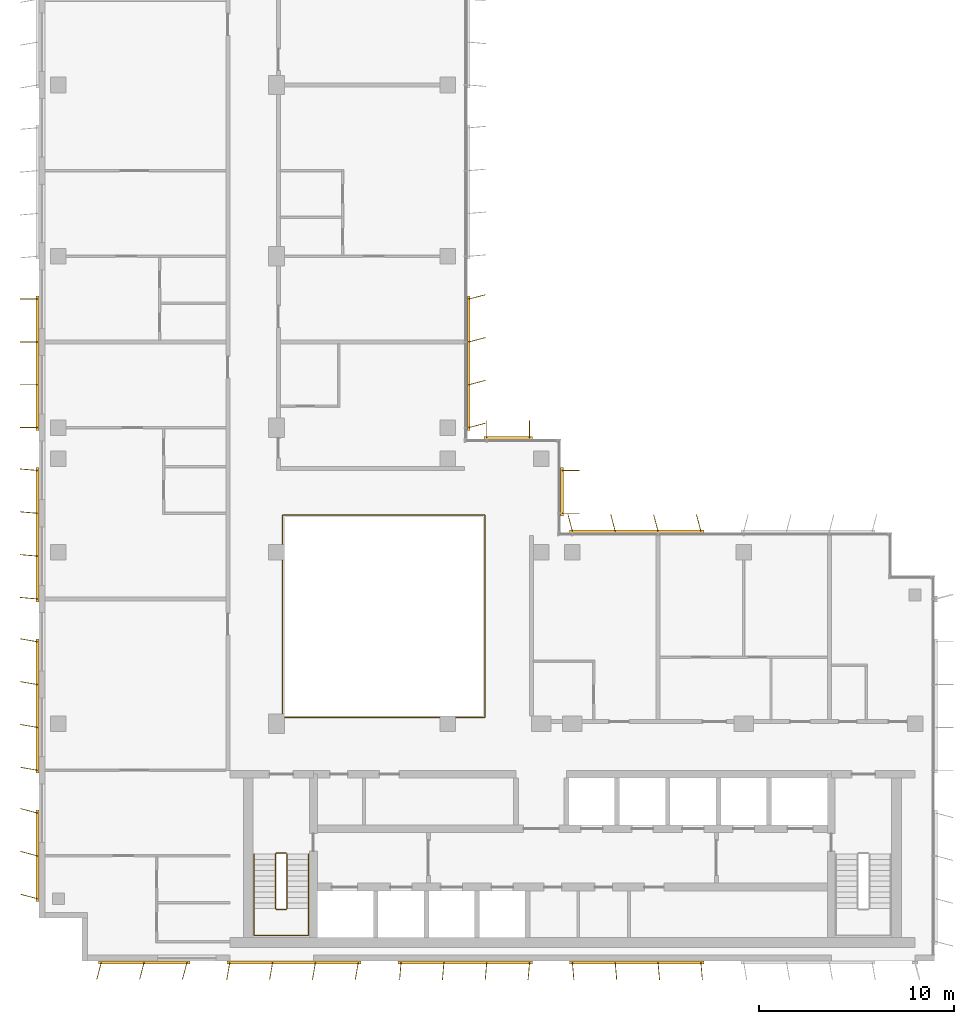
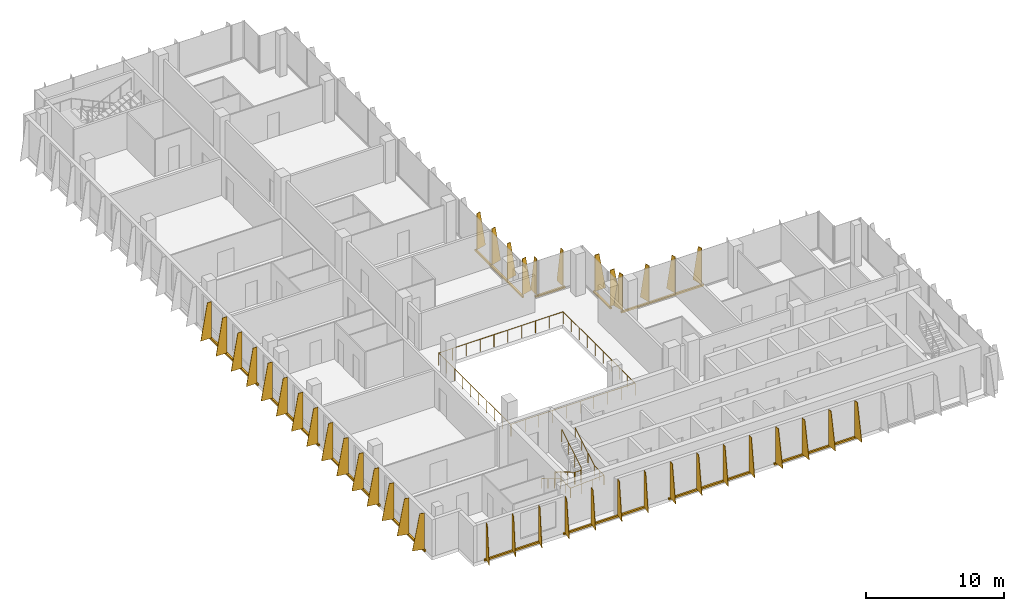
# One storey, part 13 of 15: 12 shading devices, 3 railings.
"""IFC4 building model written with IfcOpenShell, lengths in metres."""

from ifc_helpers import new_model, si_unit, direction, frame, origin, origin_2d, place, context, subcontext, project, spatial, polyline, rectangle, circle, outline, extrude, source, transform, mapped, material, layer, layer_set, type_object, element, save


model = new_model("IFC4")

# Units and contexts
model_context = context("Model", 3, precision=1e-05, world=origin(), true_north=direction((0.0, 1.0)))
body_context = subcontext(model_context, "Body", "Model", "MODEL_VIEW")
ifc_project = project(units=[si_unit("LENGTHUNIT", "METRE"), si_unit("AREAUNIT", "SQUARE_METRE"), si_unit("VOLUMEUNIT", "CUBIC_METRE"), si_unit("PLANEANGLEUNIT", "RADIAN"), si_unit("MASSUNIT", "GRAM", prefix="KILO")], contexts=[model_context])

# Site, building, storey
site_placement = place(None, origin())
site = spatial("IfcSite", under=ifc_project, at=site_placement, CompositionType="ELEMENT")
building_placement = place(site_placement, origin())
building = spatial("IfcBuilding", under=site, at=building_placement, Name="Kemantara Hotel Tower", CompositionType="ELEMENT")
storey_placement = place(building_placement, frame((0.0, 0.0, 305.5)))
storey = spatial("IfcBuildingStorey", under=building, at=storey_placement, Name="L77", CompositionType="ELEMENT", Elevation=305.5)

# Railings
ifc_material_1 = material(Name="Stainless steel and laminated glass balustrade", Category="steel")
railing_type_1 = type_object("IfcRailingType", Name="ATRIUM GUARD 1100", PredefinedType="GUARDRAIL", material=ifc_material_1)
railing_1_placement = place(storey_placement, frame((12.56005859375, 12.5, 0.0)))
element("IfcRailing", 1, at=railing_1_placement, inside=storey, type_object=railing_type_1, Name="ATRIUM GUARD L77", PredefinedType="GUARDRAIL", context=body_context, shape_type="SweptSolid", body=[
    extrude(circle(Radius=0.02490234375, at=origin_2d()), frame((0.0, 0.0, 1.0751953125), z_axis=(1.0, 0.0, 0.0), x_axis=(0.0, 1.0, 0.0)), (0.0, 0.0, 1.0), 10.33984375),
    extrude(circle(Radius=0.02490234375, at=origin_2d()), frame((10.33984375, 0.0, 1.0751953125), z_axis=(0.0, 1.0, 0.0), x_axis=(-1.0, 0.0, 0.0)), (0.0, 0.0, 1.0), 10.39990234375),
    extrude(circle(Radius=0.02490234375, at=origin_2d()), frame((10.33984375, 10.39990234375, 1.0751953125), z_axis=(-1.0, 0.0, 0.0), x_axis=(0.0, -1.0, 0.0)), (0.0, 0.0, 1.0), 10.39990234375),
    extrude(circle(Radius=0.02490234375, at=origin_2d()), frame((-0.06005859375, 10.39990234375, 1.0751953125), z_axis=(0.0, -1.0, 0.0), x_axis=(1.0, 0.0, 0.0)), (0.0, 0.0, 1.0), 10.39990234375),
    extrude(circle(Radius=0.02001953125, at=origin_2d()), origin(), (0.0, 0.0, 1.0), 1.050048828125),
    extrude(circle(Radius=0.02001953125, at=origin_2d()), frame((1.14892578125, 0.0, 0.0)), (0.0, 0.0, 1.0), 1.050048828125),
    extrude(circle(Radius=0.02001953125, at=origin_2d()), frame((2.2978515625, 0.0, 0.0)), (0.0, 0.0, 1.0), 1.050048828125),
    extrude(circle(Radius=0.02001953125, at=origin_2d()), frame((3.446533203125, 0.0, 0.0)), (0.0, 0.0, 1.0), 1.050048828125),
    extrude(circle(Radius=0.02001953125, at=origin_2d()), frame((4.595458984375, 0.0, 0.0)), (0.0, 0.0, 1.0), 1.050048828125),
    extrude(circle(Radius=0.02001953125, at=origin_2d()), frame((5.744384765625, 0.0, 0.0)), (0.0, 0.0, 1.0), 1.050048828125),
    extrude(circle(Radius=0.02001953125, at=origin_2d()), frame((6.893310546875, 0.0, 0.0)), (0.0, 0.0, 1.0), 1.050048828125),
    extrude(circle(Radius=0.02001953125, at=origin_2d()), frame((8.0419921875, 0.0, 0.0)), (0.0, 0.0, 1.0), 1.050048828125),
    extrude(circle(Radius=0.02001953125, at=origin_2d()), frame((9.19091796875, 0.0, 0.0)), (0.0, 0.0, 1.0), 1.050048828125),
    extrude(circle(Radius=0.02001953125, at=origin_2d()), frame((10.33984375, 0.0, 0.0)), (0.0, 0.0, 1.0), 1.050048828125),
    extrude(circle(Radius=0.02001953125, at=origin_2d()), frame((10.33984375, 1.155517578125, 0.0)), (0.0, 0.0, 1.0), 1.050048828125),
    extrude(circle(Radius=0.02001953125, at=origin_2d()), frame((10.33984375, 2.31103515625, 0.0)), (0.0, 0.0, 1.0), 1.050048828125),
    extrude(circle(Radius=0.02001953125, at=origin_2d()), frame((10.33984375, 3.466552734375, 0.0)), (0.0, 0.0, 1.0), 1.050048828125),
    extrude(circle(Radius=0.02001953125, at=origin_2d()), frame((10.33984375, 4.6220703125, 0.0)), (0.0, 0.0, 1.0), 1.050048828125),
    extrude(circle(Radius=0.02001953125, at=origin_2d()), frame((10.33984375, 5.77783203125, 0.0)), (0.0, 0.0, 1.0), 1.050048828125),
    extrude(circle(Radius=0.02001953125, at=origin_2d()), frame((10.33984375, 6.933349609375, 0.0)), (0.0, 0.0, 1.0), 1.050048828125),
    extrude(circle(Radius=0.02001953125, at=origin_2d()), frame((10.33984375, 8.0888671875, 0.0)), (0.0, 0.0, 1.0), 1.050048828125),
    extrude(circle(Radius=0.02001953125, at=origin_2d()), frame((10.33984375, 9.244384765625, 0.0)), (0.0, 0.0, 1.0), 1.050048828125),
    extrude(circle(Radius=0.02001953125, at=origin_2d()), frame((10.33984375, 10.39990234375, 0.0)), (0.0, 0.0, 1.0), 1.050048828125),
    extrude(circle(Radius=0.02001953125, at=origin_2d()), frame((9.184326171875, 10.39990234375, 0.0)), (0.0, 0.0, 1.0), 1.050048828125),
    extrude(circle(Radius=0.02001953125, at=origin_2d()), frame((8.02880859375, 10.39990234375, 0.0)), (0.0, 0.0, 1.0), 1.050048828125),
    extrude(circle(Radius=0.02001953125, at=origin_2d()), frame((6.873291015625, 10.39990234375, 0.0)), (0.0, 0.0, 1.0), 1.050048828125),
    extrude(circle(Radius=0.02001953125, at=origin_2d()), frame((5.7177734375, 10.39990234375, 0.0)), (0.0, 0.0, 1.0), 1.050048828125),
    extrude(circle(Radius=0.02001953125, at=origin_2d()), frame((4.56201171875, 10.39990234375, 0.0)), (0.0, 0.0, 1.0), 1.050048828125),
    extrude(circle(Radius=0.02001953125, at=origin_2d()), frame((3.406494140625, 10.39990234375, 0.0)), (0.0, 0.0, 1.0), 1.050048828125),
    extrude(circle(Radius=0.02001953125, at=origin_2d()), frame((2.2509765625, 10.39990234375, 0.0)), (0.0, 0.0, 1.0), 1.050048828125),
    extrude(circle(Radius=0.02001953125, at=origin_2d()), frame((1.095458984375, 10.39990234375, 0.0)), (0.0, 0.0, 1.0), 1.050048828125),
    extrude(circle(Radius=0.02001953125, at=origin_2d()), frame((-0.06005859375, 10.39990234375, 0.0)), (0.0, 0.0, 1.0), 1.050048828125),
    extrude(circle(Radius=0.02001953125, at=origin_2d()), frame((-0.06005859375, 9.244384765625, 0.0)), (0.0, 0.0, 1.0), 1.050048828125),
    extrude(circle(Radius=0.02001953125, at=origin_2d()), frame((-0.06005859375, 8.0888671875, 0.0)), (0.0, 0.0, 1.0), 1.050048828125),
    extrude(circle(Radius=0.02001953125, at=origin_2d()), frame((-0.06005859375, 6.933349609375, 0.0)), (0.0, 0.0, 1.0), 1.050048828125),
    extrude(circle(Radius=0.02001953125, at=origin_2d()), frame((-0.06005859375, 5.77783203125, 0.0)), (0.0, 0.0, 1.0), 1.050048828125),
    extrude(circle(Radius=0.02001953125, at=origin_2d()), frame((-0.06005859375, 4.6220703125, 0.0)), (0.0, 0.0, 1.0), 1.050048828125),
    extrude(circle(Radius=0.02001953125, at=origin_2d()), frame((-0.06005859375, 3.466552734375, 0.0)), (0.0, 0.0, 1.0), 1.050048828125),
    extrude(circle(Radius=0.02001953125, at=origin_2d()), frame((-0.06005859375, 2.31103515625, 0.0)), (0.0, 0.0, 1.0), 1.050048828125),
    extrude(circle(Radius=0.02001953125, at=origin_2d()), frame((-0.06005859375, 1.155517578125, 0.0)), (0.0, 0.0, 1.0), 1.050048828125),
    extrude(circle(Radius=0.02001953125, at=origin_2d()), frame((-0.06005859375, 0.0, 0.0)), (0.0, 0.0, 1.0), 1.050048828125),
])
ifc_material_2 = material(Name="Stainless steel balustrade", Category="steel")
railing_type_2 = type_object("IfcRailingType", Name="Stair guard 1100 mm", PredefinedType="GUARDRAIL", material=ifc_material_2)
railing_2_placement = place(storey_placement, frame((12.75, 5.5, 3.699951171875)))
element("IfcRailing", 2, at=railing_2_placement, inside=storey, type_object=railing_type_2, Name="L77 ST1 stair guard 1", PredefinedType="GUARDRAIL", context=body_context, shape_type="SweptSolid", body=[
    extrude(circle(Radius=0.02392578125, at=origin_2d()), frame((0.0, 0.0, 1.076171875), z_axis=(0.0, -0.857242210791, -0.514913383045), x_axis=(1.0, 0.0, 0.0)), (0.0, 0.0, 1.0), 3.266357421875),
    extrude(circle(Radius=0.02392578125, at=origin_2d()), frame((0.0, -2.800048828125, -0.60595703125), z_axis=(-0.274582412415, -0.274582412415, -0.921525364591), x_axis=(0.707106781187, -0.707106781187, 0.0)), (0.0, 0.0, 1.0), 0.182373046875),
    extrude(circle(Radius=0.02392578125, at=origin_2d()), frame((-0.050048828125, -2.85009765625, -0.77392578125), z_axis=(-1.0, 0.0, 0.0), x_axis=(0.0, -1.0, 0.0)), (0.0, 0.0, 1.0), 0.5),
    extrude(circle(Radius=0.02392578125, at=origin_2d()), frame((-0.550048828125, -2.85009765625, -0.77392578125), z_axis=(-0.707106781187, 0.707106781187, 0.0), x_axis=(-0.707106781187, -0.707106781187, 0.0)), (0.0, 0.0, 1.0), 0.07080078125),
    extrude(circle(Radius=0.02392578125, at=origin_2d()), frame((-0.60009765625, -2.800048828125, -0.77392578125), z_axis=(0.0, 0.857242210791, -0.514913383045), x_axis=(-1.0, 0.0, 0.0)), (0.0, 0.0, 1.0), 3.266357421875),
    extrude(circle(Radius=0.02392578125, at=origin_2d()), frame((-0.60009765625, 0.0, -2.45556640625), z_axis=(0.274243871929, 0.274243871929, -0.92172696468), x_axis=(-0.707106781187, 0.707106781187, 0.0)), (0.0, 0.0, 1.0), 0.1826171875),
    extrude(circle(Radius=0.02392578125, at=origin_2d()), frame((-0.550048828125, 0.050048828125, -2.6240234375), z_axis=(1.0, 0.0, 0.0), x_axis=(0.0, 1.0, 0.0)), (0.0, 0.0, 1.0), 0.5),
    extrude(circle(Radius=0.02099609375, at=origin_2d()), origin(), (0.0, 0.0, 1.0), 1.052001953125),
    extrude(circle(Radius=0.02099609375, at=origin_2d()), frame((0.0, -0.933349609375, -0.560546875)), (0.0, 0.0, 1.0), 1.052001953125),
    extrude(circle(Radius=0.02099609375, at=origin_2d()), frame((0.0, -1.86669921875, -1.121337890625)), (0.0, 0.0, 1.0), 1.052001953125),
    extrude(circle(Radius=0.02099609375, at=origin_2d()), frame((0.0, -2.800048828125, -1.681884765625)), (0.0, 0.0, 1.0), 1.052001953125),
    extrude(circle(Radius=0.02099609375, at=origin_2d()), frame((-0.050048828125, -2.85009765625, -1.849853515625)), (0.0, 0.0, 1.0), 1.052001953125),
    extrude(circle(Radius=0.02099609375, at=origin_2d()), frame((-0.550048828125, -2.85009765625, -1.849853515625)), (0.0, 0.0, 1.0), 1.052001953125),
    extrude(circle(Radius=0.02099609375, at=origin_2d()), frame((-0.60009765625, -2.800048828125, -1.849853515625)), (0.0, 0.0, 1.0), 1.052001953125),
    extrude(circle(Radius=0.02099609375, at=origin_2d()), frame((-0.60009765625, -1.86669921875, -2.410400390625)), (0.0, 0.0, 1.0), 1.052001953125),
    extrude(circle(Radius=0.02099609375, at=origin_2d()), frame((-0.60009765625, -0.933349609375, -2.97119140625)), (0.0, 0.0, 1.0), 1.052001953125),
    extrude(circle(Radius=0.02099609375, at=origin_2d()), frame((-0.60009765625, 0.0, -3.53173828125)), (0.0, 0.0, 1.0), 1.052001953125),
    extrude(circle(Radius=0.02099609375, at=origin_2d()), frame((-0.550048828125, 0.050048828125, -3.699951171875)), (0.0, 0.0, 1.0), 1.052001953125),
    extrude(circle(Radius=0.02099609375, at=origin_2d()), frame((-0.050048828125, 0.050048828125, -3.699951171875)), (0.0, 0.0, 1.0), 1.052001953125),
])
railing_type_3 = type_object("IfcRailingType", Name="Stair handrail 900 mm", PredefinedType="HANDRAIL", material=ifc_material_2)
railing_3_placement = place(storey_placement, frame((11.050048828125, 5.5, 0.168212890625)))
element("IfcRailing", 3, at=railing_3_placement, inside=storey, type_object=railing_type_3, Name="L77 ST1 stair handrail 1", PredefinedType="HANDRAIL", context=body_context, shape_type="SweptSolid", body=[
    extrude(circle(Radius=0.02392578125, at=origin_2d()), frame((0.0, 0.0, 0.8759765625), z_axis=(0.0, -0.857242210791, 0.514913383045), x_axis=(1.0, 0.0, 0.0)), (0.0, 0.0, 1.0), 3.266357421875),
    extrude(circle(Radius=0.02392578125, at=origin_2d()), frame((0.0, -2.800048828125, 2.5576171875), z_axis=(0.0, -1.0, 0.0), x_axis=(1.0, 0.0, 0.0)), (0.0, 0.0, 1.0), 1.3798828125),
    extrude(circle(Radius=0.02392578125, at=origin_2d()), frame((0.0, -4.179931640625, 2.5576171875), z_axis=(0.998205573864, 0.0, 0.059880149518), x_axis=(0.0, 1.0, 0.0)), (0.0, 0.0, 1.0), 2.80517578125),
    extrude(circle(Radius=0.02392578125, at=origin_2d()), frame((2.800048828125, -4.179931640625, 2.7255859375), z_axis=(0.0, 1.0, 0.0), x_axis=(-1.0, 0.0, 0.0)), (0.0, 0.0, 1.0), 1.3798828125),
    extrude(circle(Radius=0.02392578125, at=origin_2d()), frame((2.800048828125, -2.800048828125, 2.7255859375), z_axis=(0.0, 0.857242210791, 0.514913383045), x_axis=(-1.0, 0.0, 0.0)), (0.0, 0.0, 1.0), 3.266357421875),
    extrude(circle(Radius=0.02099609375, at=origin_2d()), origin(), (0.0, 0.0, 1.0), 0.851806640625),
    extrude(circle(Radius=0.02099609375, at=origin_2d()), frame((0.0, -0.933349609375, 0.560546875)), (0.0, 0.0, 1.0), 0.851806640625),
    extrude(circle(Radius=0.02099609375, at=origin_2d()), frame((0.0, -1.86669921875, 1.121337890625)), (0.0, 0.0, 1.0), 0.851806640625),
    extrude(circle(Radius=0.02099609375, at=origin_2d()), frame((0.0, -2.800048828125, 1.681884765625)), (0.0, 0.0, 1.0), 0.851806640625),
    extrude(circle(Radius=0.02099609375, at=origin_2d()), frame((0.0, -3.489990234375, 1.681884765625)), (0.0, 0.0, 1.0), 0.851806640625),
    extrude(circle(Radius=0.02099609375, at=origin_2d()), frame((0.0, -4.179931640625, 1.681884765625)), (0.0, 0.0, 1.0), 0.851806640625),
    extrude(circle(Radius=0.02099609375, at=origin_2d()), frame((0.933349609375, -4.179931640625, 1.73779296875)), (0.0, 0.0, 1.0), 0.851806640625),
    extrude(circle(Radius=0.02099609375, at=origin_2d()), frame((1.86669921875, -4.179931640625, 1.7939453125)), (0.0, 0.0, 1.0), 0.851806640625),
    extrude(circle(Radius=0.02099609375, at=origin_2d()), frame((2.800048828125, -4.179931640625, 1.849853515625)), (0.0, 0.0, 1.0), 0.851806640625),
    extrude(circle(Radius=0.02099609375, at=origin_2d()), frame((2.800048828125, -3.489990234375, 1.849853515625)), (0.0, 0.0, 1.0), 0.851806640625),
    extrude(circle(Radius=0.02099609375, at=origin_2d()), frame((2.800048828125, -2.800048828125, 1.849853515625)), (0.0, 0.0, 1.0), 0.851806640625),
    extrude(circle(Radius=0.02099609375, at=origin_2d()), frame((2.800048828125, -1.86669921875, 2.410400390625)), (0.0, 0.0, 1.0), 0.851806640625),
    extrude(circle(Radius=0.02099609375, at=origin_2d()), frame((2.800048828125, -0.933349609375, 2.97119140625)), (0.0, 0.0, 1.0), 0.851806640625),
    extrude(circle(Radius=0.02099609375, at=origin_2d()), frame((2.800048828125, 0.0, 3.53173828125)), (0.0, 0.0, 1.0), 0.851806640625),
])

# Shading devices
ifc_material_3 = material(Name="Perforated aluminium plate 4 mm bronze anodised", Category="aluminium")
ifc_layer_1 = layer(ifc_material_3, 0.0400390625)
ifc_layer_set_1 = layer_set([ifc_layer_1], Name="Perforated aluminium plate 4 mm bronze anodised")
shading_device_type_1 = type_object("IfcShadingDeviceType", Name="SCREEN FIN CASSETTE, 3 BLADES AT -15.0 DEG, 3200 HIGH", PredefinedType="USERDEFINED", material=ifc_layer_set_1)
shared_shape_1 = source(origin(), body_context, "Body", "SweptSolid", [
    extrude(rectangle(XDim=4.699951171875, YDim=0.14990234375, at=origin_2d()), frame((2.199951171875, -0.074951171875, -0.14990234375), z_axis=(0.0, 0.0, 1.0), x_axis=(1.0, 0.0, 0.0)), (0.0, 0.0, 1.0), 0.14990234375),
    extrude(outline(polyline([(0.0, 0.0), (0.89990234375, 0.0), (0.35009765625, 3.199951171875), (0.0, 3.199951171875), (0.0, 0.0)])), frame((0.019287109375, -0.080078125, 0.0), z_axis=(-0.966437683387, 0.256901156343, 0.0), x_axis=(-0.256901156343, -0.966437683387, 0.0)), (0.0, 0.0, 1.0), 0.039794921875),
    extrude(outline(polyline([(0.0, 0.0), (0.89990234375, 0.0), (0.35009765625, 3.199951171875), (0.0, 3.199951171875), (0.0, 0.0)])), frame((2.21923828125, -0.080078125, 0.0), z_axis=(-0.966437683387, 0.256901156343, 0.0), x_axis=(-0.256901156343, -0.966437683387, 0.0)), (0.0, 0.0, 1.0), 0.039794921875),
    extrude(outline(polyline([(0.0, 0.0), (0.89990234375, 0.0), (0.35009765625, 3.199951171875), (0.0, 3.199951171875), (0.0, 0.0)])), frame((4.41943359375, -0.080078125, 0.0), z_axis=(-0.966837822169, 0.255391122837, 0.0), x_axis=(-0.255391122837, -0.966837822169, 0.0)), (0.0, 0.0, 1.0), 0.0400390625),
])
for number, where, z_axis, x_axis, name in (
    (4, (0.0, 7.60009765625, 0.10009765625), (0.0, 0.0, 1.0), (0.0, -1.0, 0.0), "SCREEN FIN CASSETTE L77 T4-R05-7"),
    (5, (3.199951171875, 0.0, 0.10009765625), (0.0, 0.0, 1.0), (1.0, 0.0, 0.0), "SCREEN FIN CASSETTE L77 T4-R08-1"),
):
    element("IfcShadingDevice", number, at=place(storey_placement, frame(where, z_axis=z_axis, x_axis=x_axis)), inside=storey, type_object=shading_device_type_1, Name=name, ObjectType="SCREEN FIN", PredefinedType="USERDEFINED", context=body_context, shape_type="MappedRepresentation", body=[
        mapped(shared_shape_1, transform((0.0, 0.0, 0.0))),
    ])
ifc_layer_2 = layer(ifc_material_3, 0.0400390625)
ifc_layer_set_2 = layer_set([ifc_layer_2], Name="Perforated aluminium plate 4 mm bronze anodised")
shading_device_type_2 = type_object("IfcShadingDeviceType", Name="SCREEN FIN CASSETTE, 4 BLADES AT -10.0 DEG, 3200 HIGH", PredefinedType="USERDEFINED", material=ifc_layer_set_2)
shared_shape_2 = source(origin(), body_context, "Body", "SweptSolid", [
    extrude(rectangle(XDim=6.89990234375, YDim=0.14990234375, at=origin_2d()), frame((3.300048828125, -0.074951171875, -0.14990234375), z_axis=(0.0, 0.0, 1.0), x_axis=(1.0, 0.0, 0.0)), (0.0, 0.0, 1.0), 0.14990234375),
    extrude(outline(polyline([(0.0, 0.0), (0.89990234375, 0.0), (0.35009765625, 3.199951171875), (0.0, 3.199951171875), (0.0, 0.0)])), frame((0.019775390625, -0.078369140625, 0.0), z_axis=(-0.985389793052, 0.170314285219, 0.0), x_axis=(-0.170314285219, -0.985389793052, 0.0)), (0.0, 0.0, 1.0), 0.0400390625),
    extrude(outline(polyline([(0.0, 0.0), (0.89990234375, 0.0), (0.35009765625, 3.199951171875), (0.0, 3.199951171875), (0.0, 0.0)])), frame((2.2197265625, -0.078369140625, 0.0), z_axis=(-0.98521175482, 0.171341174751, 0.0), x_axis=(-0.171341174751, -0.98521175482, 0.0)), (0.0, 0.0, 1.0), 0.039794921875),
    extrude(outline(polyline([(0.0, 0.0), (0.89990234375, 0.0), (0.35009765625, 3.199951171875), (0.0, 3.199951171875), (0.0, 0.0)])), frame((4.419677734375, -0.078369140625, 0.0), z_axis=(-0.98521175482, 0.171341174751, 0.0), x_axis=(-0.171341174751, -0.98521175482, 0.0)), (0.0, 0.0, 1.0), 0.039794921875),
    extrude(outline(polyline([(0.0, 0.0), (0.89990234375, 0.0), (0.35009765625, 3.199951171875), (0.0, 3.199951171875), (0.0, 0.0)])), frame((6.61962890625, -0.078369140625, 0.0), z_axis=(-0.98521175482, 0.171341174751, 0.0), x_axis=(-0.171341174751, -0.98521175482, 0.0)), (0.0, 0.0, 1.0), 0.039794921875),
])
for number, where, z_axis, x_axis, name in (
    (6, (0.0, 16.39990234375, 0.10009765625), (0.0, 0.0, 1.0), (0.0, -1.0, 0.0), "SCREEN FIN CASSETTE L77 T4-R05-6"),
    (7, (9.800048828125, 0.0, 0.10009765625), (0.0, 0.0, 1.0), (1.0, 0.0, 0.0), "SCREEN FIN CASSETTE L77 T4-R08-2"),
):
    element("IfcShadingDevice", number, at=place(storey_placement, frame(where, z_axis=z_axis, x_axis=x_axis)), inside=storey, type_object=shading_device_type_2, Name=name, ObjectType="SCREEN FIN", PredefinedType="USERDEFINED", context=body_context, shape_type="MappedRepresentation", body=[
        mapped(shared_shape_2, transform((0.0, 0.0, 0.0))),
    ])
ifc_layer_3 = layer(ifc_material_3, 0.0400390625)
ifc_layer_set_3 = layer_set([ifc_layer_3], Name="Perforated aluminium plate 4 mm bronze anodised")
shading_device_type_3 = type_object("IfcShadingDeviceType", Name="SCREEN FIN CASSETTE, 4 BLADES AT -5.0 DEG, 3200 HIGH", PredefinedType="USERDEFINED", material=ifc_layer_set_3)
shared_shape_3 = source(origin(), body_context, "Body", "SweptSolid", [
    extrude(rectangle(XDim=6.89990234375, YDim=0.14990234375, at=origin_2d()), frame((3.300048828125, -0.074951171875, -0.14990234375), z_axis=(0.0, 0.0, 1.0), x_axis=(1.0, 0.0, 0.0)), (0.0, 0.0, 1.0), 0.14990234375),
    extrude(outline(polyline([(0.0, 0.0), (0.89990234375, 0.0), (0.35009765625, 3.199951171875), (0.0, 3.199951171875), (0.0, 0.0)])), frame((0.02001953125, -0.07666015625, 0.0), z_axis=(-0.996376129781, 0.085056498884, 0.0), x_axis=(-0.085056498884, -0.996376129781, 0.0)), (0.0, 0.0, 1.0), 0.040283203125),
    extrude(outline(polyline([(0.0, 0.0), (0.89990234375, 0.0), (0.35009765625, 3.199951171875), (0.0, 3.199951171875), (0.0, 0.0)])), frame((2.219970703125, -0.07666015625, 0.0), z_axis=(-0.996331773833, 0.085574508182, 0.0), x_axis=(-0.085574508182, -0.996331773833, 0.0)), (0.0, 0.0, 1.0), 0.0400390625),
    extrude(outline(polyline([(0.0, 0.0), (0.89990234375, 0.0), (0.35009765625, 3.199951171875), (0.0, 3.199951171875), (0.0, 0.0)])), frame((4.419921875, -0.07666015625, 0.0), z_axis=(-0.996331773833, 0.085574508182, 0.0), x_axis=(-0.085574508182, -0.996331773833, 0.0)), (0.0, 0.0, 1.0), 0.0400390625),
    extrude(outline(polyline([(0.0, 0.0), (0.89990234375, 0.0), (0.35009765625, 3.199951171875), (0.0, 3.199951171875), (0.0, 0.0)])), frame((6.619873046875, -0.07666015625, 0.0), z_axis=(-0.996331773833, 0.085574508182, 0.0), x_axis=(-0.085574508182, -0.996331773833, 0.0)), (0.0, 0.0, 1.0), 0.0400390625),
])
for number, where, z_axis, x_axis, name in (
    (8, (0.0, 25.199951171875, 0.10009765625), (0.0, 0.0, 1.0), (0.0, -1.0, 0.0), "SCREEN FIN CASSETTE L77 T4-R05-5"),
    (9, (18.60009765625, 0.0, 0.10009765625), (0.0, 0.0, 1.0), (1.0, 0.0, 0.0), "SCREEN FIN CASSETTE L77 T4-R08-3"),
):
    element("IfcShadingDevice", number, at=place(storey_placement, frame(where, z_axis=z_axis, x_axis=x_axis)), inside=storey, type_object=shading_device_type_3, Name=name, ObjectType="SCREEN FIN", PredefinedType="USERDEFINED", context=body_context, shape_type="MappedRepresentation", body=[
        mapped(shared_shape_3, transform((0.0, 0.0, 0.0))),
    ])
ifc_layer_4 = layer(ifc_material_3, 0.0400390625)
ifc_layer_set_4 = layer_set([ifc_layer_4], Name="Perforated aluminium plate 4 mm bronze anodised")
shading_device_type_4 = type_object("IfcShadingDeviceType", Name="SCREEN FIN CASSETTE, 4 BLADES AT +0.0 DEG, 3200 HIGH", PredefinedType="USERDEFINED", material=ifc_layer_set_4)
shared_shape_4 = source(origin(), body_context, "Body", "SweptSolid", [
    extrude(rectangle(XDim=6.89990234375, YDim=0.14990234375, at=origin_2d()), frame((3.300048828125, -0.074951171875, -0.14990234375), z_axis=(0.0, 0.0, 1.0), x_axis=(1.0, 0.0, 0.0)), (0.0, 0.0, 1.0), 0.14990234375),
    extrude(outline(polyline([(0.0, 0.0), (0.89990234375, 0.0), (0.35009765625, 3.199951171875), (0.0, 3.199951171875), (0.0, 0.0)])), frame((0.02001953125, -0.074951171875, 0.0), z_axis=(-1.0, 0.0, 0.0), x_axis=(0.0, -1.0, 0.0)), (0.0, 0.0, 1.0), 0.0400390625),
    extrude(outline(polyline([(0.0, 0.0), (0.89990234375, 0.0), (0.35009765625, 3.199951171875), (0.0, 3.199951171875), (0.0, 0.0)])), frame((2.219970703125, -0.074951171875, 0.0), z_axis=(-1.0, 0.0, 0.0), x_axis=(0.0, -1.0, 0.0)), (0.0, 0.0, 1.0), 0.0400390625),
    extrude(outline(polyline([(0.0, 0.0), (0.89990234375, 0.0), (0.35009765625, 3.199951171875), (0.0, 3.199951171875), (0.0, 0.0)])), frame((4.419921875, -0.074951171875, 0.0), z_axis=(-1.0, 0.0, 0.0), x_axis=(0.0, -1.0, 0.0)), (0.0, 0.0, 1.0), 0.0400390625),
    extrude(outline(polyline([(0.0, 0.0), (0.89990234375, 0.0), (0.35009765625, 3.199951171875), (0.0, 3.199951171875), (0.0, 0.0)])), frame((6.6201171875, -0.074951171875, 0.0), z_axis=(-1.0, 0.0, 0.0), x_axis=(0.0, -1.0, 0.0)), (0.0, 0.0, 1.0), 0.0400390625),
])
shading_device_1_placement = place(storey_placement, frame((0.0, 34.0, 0.10009765625), z_axis=(0.0, 0.0, 1.0), x_axis=(0.0, -1.0, 0.0)))
element("IfcShadingDevice", 10, at=shading_device_1_placement, inside=storey, type_object=shading_device_type_4, Name="SCREEN FIN CASSETTE L77 T4-R05-4", ObjectType="SCREEN FIN", PredefinedType="USERDEFINED", context=body_context, shape_type="MappedRepresentation", body=[
    mapped(shared_shape_4, transform((0.0, 0.0, 0.0))),
])
ifc_layer_5 = layer(ifc_material_3, 0.0400390625)
ifc_layer_set_5 = layer_set([ifc_layer_5], Name="Perforated aluminium plate 4 mm bronze anodised")
shading_device_type_5 = type_object("IfcShadingDeviceType", Name="SCREEN FIN CASSETTE, 4 BLADES AT +5.0 DEG, 3200 HIGH", PredefinedType="USERDEFINED", material=ifc_layer_set_5)
shared_shape_5 = source(origin(), body_context, "Body", "SweptSolid", [
    extrude(rectangle(XDim=6.89990234375, YDim=0.14990234375, at=origin_2d()), frame((3.300048828125, -0.074951171875, -0.14990234375), z_axis=(0.0, 0.0, 1.0), x_axis=(1.0, 0.0, 0.0)), (0.0, 0.0, 1.0), 0.14990234375),
    extrude(outline(polyline([(0.0, 0.0), (0.89990234375, 0.0), (0.35009765625, 3.199951171875), (0.0, 3.199951171875), (0.0, 0.0)])), frame((0.02001953125, -0.0732421875, 0.0), z_axis=(-0.996376129781, -0.085056498884, 0.0), x_axis=(0.085056498884, -0.996376129781, 0.0)), (0.0, 0.0, 1.0), 0.040283203125),
    extrude(outline(polyline([(0.0, 0.0), (0.89990234375, 0.0), (0.35009765625, 3.199951171875), (0.0, 3.199951171875), (0.0, 0.0)])), frame((2.219970703125, -0.0732421875, 0.0), z_axis=(-0.996331773833, -0.085574508182, 0.0), x_axis=(0.085574508182, -0.996331773833, 0.0)), (0.0, 0.0, 1.0), 0.0400390625),
    extrude(outline(polyline([(0.0, 0.0), (0.89990234375, 0.0), (0.35009765625, 3.199951171875), (0.0, 3.199951171875), (0.0, 0.0)])), frame((4.419921875, -0.0732421875, 0.0), z_axis=(-0.996331773833, -0.085574508182, 0.0), x_axis=(0.085574508182, -0.996331773833, 0.0)), (0.0, 0.0, 1.0), 0.0400390625),
    extrude(outline(polyline([(0.0, 0.0), (0.89990234375, 0.0), (0.35009765625, 3.199951171875), (0.0, 3.199951171875), (0.0, 0.0)])), frame((6.619873046875, -0.0732421875, 0.0), z_axis=(-0.996331773833, -0.085574508182, 0.0), x_axis=(0.085574508182, -0.996331773833, 0.0)), (0.0, 0.0, 1.0), 0.0400390625),
])
shading_device_2_placement = place(storey_placement, frame((27.39990234375, 0.0, 0.10009765625), z_axis=(0.0, 0.0, 1.0), x_axis=(1.0, 0.0, 0.0)))
element("IfcShadingDevice", 11, at=shading_device_2_placement, inside=storey, type_object=shading_device_type_5, Name="SCREEN FIN CASSETTE L77 T4-R08-4", ObjectType="SCREEN FIN", PredefinedType="USERDEFINED", context=body_context, shape_type="MappedRepresentation", body=[
    mapped(shared_shape_5, transform((0.0, 0.0, 0.0))),
])
ifc_layer_6 = layer(ifc_material_3, 0.0400390625)
ifc_layer_set_6 = layer_set([ifc_layer_6], Name="Perforated aluminium plate 4 mm bronze anodised")
shading_device_type_6 = type_object("IfcShadingDeviceType", Name="SCREEN FIN CASSETTE, 4 BLADES AT +15.0 DEG, 3200 HIGH", PredefinedType="USERDEFINED", material=ifc_layer_set_6)
shared_shape_6 = source(origin(), body_context, "Body", "SweptSolid", [
    extrude(rectangle(XDim=6.89990234375, YDim=0.14990234375, at=origin_2d()), frame((3.300048828125, -0.074951171875, -0.14990234375), z_axis=(0.0, 0.0, 1.0), x_axis=(1.0, 0.0, 0.0)), (0.0, 0.0, 1.0), 0.14990234375),
    extrude(outline(polyline([(0.0, 0.0), (0.89990234375, 0.0), (0.35009765625, 3.199951171875), (0.0, 3.199951171875), (0.0, 0.0)])), frame((0.019287109375, -0.06982421875, 0.0), z_axis=(-0.966437683387, -0.256901156343, 0.0), x_axis=(0.256901156343, -0.966437683387, 0.0)), (0.0, 0.0, 1.0), 0.039794921875),
    extrude(outline(polyline([(0.0, 0.0), (0.89990234375, 0.0), (0.35009765625, 3.199951171875), (0.0, 3.199951171875), (0.0, 0.0)])), frame((2.21923828125, -0.06982421875, 0.0), z_axis=(-0.966437683387, -0.256901156343, 0.0), x_axis=(0.256901156343, -0.966437683387, 0.0)), (0.0, 0.0, 1.0), 0.039794921875),
    extrude(outline(polyline([(0.0, 0.0), (0.89990234375, 0.0), (0.35009765625, 3.199951171875), (0.0, 3.199951171875), (0.0, 0.0)])), frame((4.41943359375, -0.06982421875, 0.0), z_axis=(-0.966837822169, -0.255391122837, 0.0), x_axis=(0.255391122837, -0.966837822169, 0.0)), (0.0, 0.0, 1.0), 0.0400390625),
    extrude(outline(polyline([(0.0, 0.0), (0.89990234375, 0.0), (0.35009765625, 3.199951171875), (0.0, 3.199951171875), (0.0, 0.0)])), frame((6.619384765625, -0.06982421875, 0.0), z_axis=(-0.966837822169, -0.255391122837, 0.0), x_axis=(0.255391122837, -0.966837822169, 0.0)), (0.0, 0.0, 1.0), 0.0400390625),
])
for number, where, z_axis, x_axis, name in (
    (12, (34.0, 22.0, 0.10009765625), (0.0, 0.0, 1.0), (-1.0, 0.0, 0.0), "SCREEN FIN CASSETTE L77 T4-R12-2"),
    (13, (22.0, 27.39990234375, 0.10009765625), (0.0, 0.0, 1.0), (0.0, 1.0, 0.0), "SCREEN FIN CASSETTE L77 T4-R15-1"),
):
    element("IfcShadingDevice", number, at=place(storey_placement, frame(where, z_axis=z_axis, x_axis=x_axis)), inside=storey, type_object=shading_device_type_6, Name=name, ObjectType="SCREEN FIN", PredefinedType="USERDEFINED", context=body_context, shape_type="MappedRepresentation", body=[
        mapped(shared_shape_6, transform((0.0, 0.0, 0.0))),
    ])
ifc_layer_7 = layer(ifc_material_3, 0.0400390625)
ifc_layer_set_7 = layer_set([ifc_layer_7], Name="Perforated aluminium plate 4 mm bronze anodised")
shading_device_type_7 = type_object("IfcShadingDeviceType", Name="SCREEN FIN CASSETTE, 2 BLADES AT +0.0 DEG, 3200 HIGH", PredefinedType="USERDEFINED", material=ifc_layer_set_7)
shared_shape_7 = source(origin(), body_context, "Body", "SweptSolid", [
    extrude(rectangle(XDim=2.5, YDim=0.14990234375, at=origin_2d()), frame((1.10009765625, -0.074951171875, -0.14990234375), z_axis=(0.0, 0.0, 1.0), x_axis=(1.0, 0.0, 0.0)), (0.0, 0.0, 1.0), 0.14990234375),
    extrude(outline(polyline([(0.0, 0.0), (0.89990234375, 0.0), (0.35009765625, 3.199951171875), (0.0, 3.199951171875), (0.0, 0.0)])), frame((0.02001953125, -0.074951171875, 0.0), z_axis=(-1.0, 0.0, 0.0), x_axis=(0.0, -1.0, 0.0)), (0.0, 0.0, 1.0), 0.0400390625),
    extrude(outline(polyline([(0.0, 0.0), (0.89990234375, 0.0), (0.35009765625, 3.199951171875), (0.0, 3.199951171875), (0.0, 0.0)])), frame((2.219970703125, -0.074951171875, 0.0), z_axis=(-1.0, 0.0, 0.0), x_axis=(0.0, -1.0, 0.0)), (0.0, 0.0, 1.0), 0.0400390625),
])
for number, where, z_axis, x_axis, name in (
    (14, (26.800048828125, 23.0, 0.10009765625), (0.0, 0.0, 1.0), (0.0, 1.0, 0.0), "SCREEN FIN CASSETTE L77 T4-R13-1"),
    (15, (25.199951171875, 26.800048828125, 0.10009765625), (0.0, 0.0, 1.0), (-1.0, 0.0, 0.0), "SCREEN FIN CASSETTE L77 T4-R14-1"),
):
    element("IfcShadingDevice", number, at=place(storey_placement, frame(where, z_axis=z_axis, x_axis=x_axis)), inside=storey, type_object=shading_device_type_7, Name=name, ObjectType="SCREEN FIN", PredefinedType="USERDEFINED", context=body_context, shape_type="MappedRepresentation", body=[
        mapped(shared_shape_7, transform((0.0, 0.0, 0.0))),
    ])

save(model, "model.ifc")
